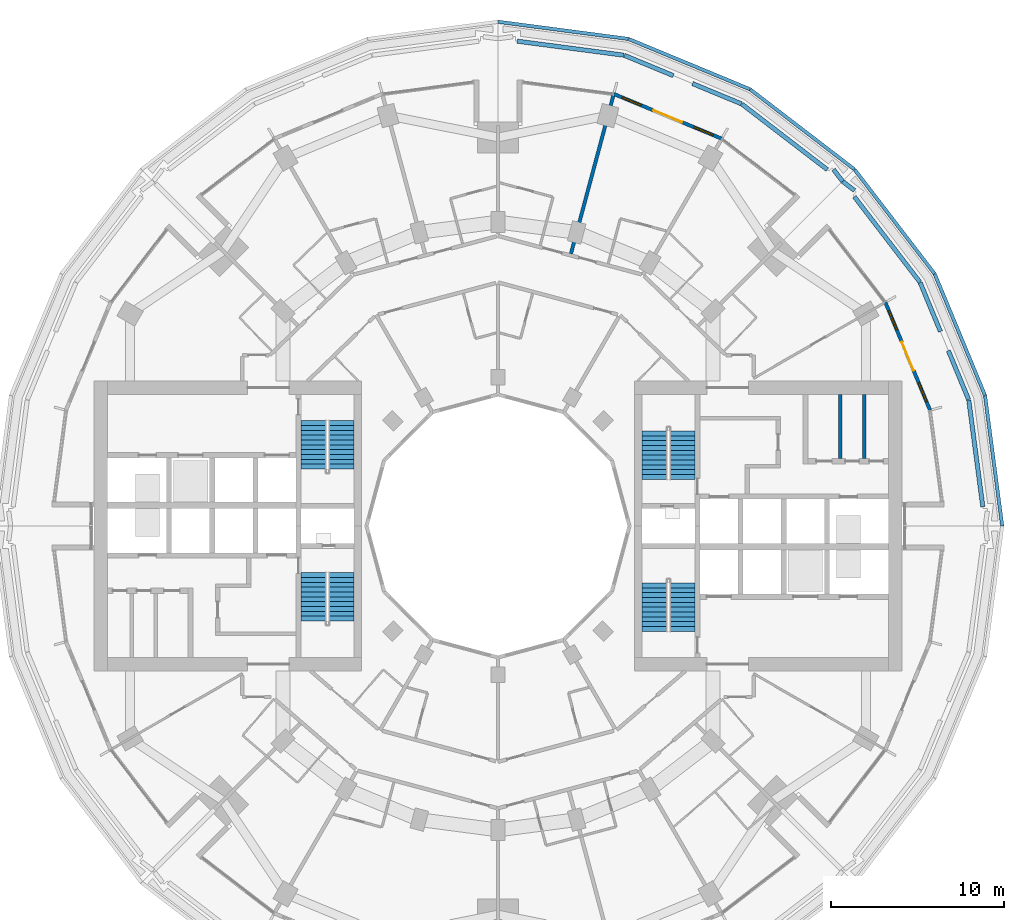
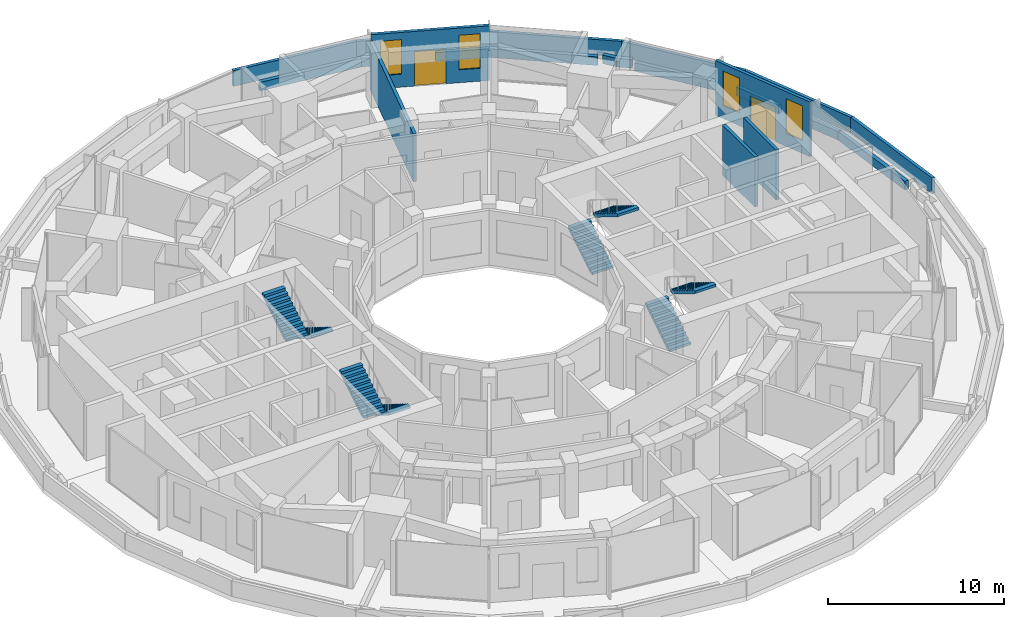
# One storey, part 17 of 19: 21 walls, 8 stair flights, 4 windows, 2 doors, 6 openings, 4 elements without a shape of their own.
"""IFC4 building model written with IfcOpenShell, lengths in metres."""

from ifc_helpers import new_model, si_unit, direction, frame, frame_2d, origin, place, context, subcontext, project, spatial, polyline, rectangle, outline, extrude, material, layer, layer_set, type_object, element, fill, aggregate, save


model = new_model("IFC4")

# Units and contexts
model_context = context("Model", 3, precision=1e-05, world=origin(), true_north=direction((0.0, 1.0)))
body_context = subcontext(model_context, "Body", "Model", "MODEL_VIEW")
ifc_project = project(units=[si_unit("LENGTHUNIT", "METRE"), si_unit("AREAUNIT", "SQUARE_METRE"), si_unit("VOLUMEUNIT", "CUBIC_METRE"), si_unit("PLANEANGLEUNIT", "RADIAN"), si_unit("MASSUNIT", "GRAM", prefix="KILO")], contexts=[model_context])

# Site, building, storey
site_placement = place(None, origin())
site = spatial("IfcSite", under=ifc_project, at=site_placement, CompositionType="ELEMENT")
building_placement = place(site_placement, origin())
building = spatial("IfcBuilding", under=site, at=building_placement, Name="Torre Brocal", CompositionType="ELEMENT")
storey_placement = place(building_placement, frame((0.0, 0.0, 28.800048828125)))
storey = spatial("IfcBuildingStorey", under=building, at=storey_placement, Name="L05", CompositionType="ELEMENT", Elevation=28.800048828125)

# Walls
ifc_material_1 = material(Name="Masonry block", Category="masonry")
ifc_layer_1 = layer(ifc_material_1, 0.199951171875)
ifc_layer_set_1 = layer_set([ifc_layer_1], Name="Masonry block")
wall_type_1 = type_object("IfcWallType", Name="CORE PARTITION 200", PredefinedType="PARTITIONING", material=ifc_layer_set_1)
for number, where, z_axis, x_axis, name in (
    (1, (99.81005859375, 78.89990234375, 0.0), (0.0, 0.0, 1.0), (0.0, 1.0, 0.0), "Wall CP200"),
    (2, (101.205078125, 78.89990234375, 0.0), (0.0, 0.0, 1.0), (0.0, 1.0, 0.0), "Wall CP200"),
):
    element("IfcWall", number, at=place(storey_placement, frame(where, z_axis=z_axis, x_axis=x_axis)), inside=storey, type_object=wall_type_1, Name=name, PredefinedType="PARTITIONING", context=body_context, shape_type="SweptSolid", body=[
        extrude(rectangle(XDim=3.7001953125, YDim=0.199951171875, at=frame_2d((1.85009765625, 0.0))), origin(), (0.0, 0.0, 1.0), 3.47998046875),
    ])

# Wall, openings, door, windows
ifc_material_2 = material(Name="Concrete C40", Category="concrete")
ifc_layer_2 = layer(ifc_material_2, 0.199951171875)
ifc_layer_set_2 = layer_set([ifc_layer_2], Name="Concrete C40")
wall_type_2 = type_object("IfcWallType", Name="EXTERNAL WALL 200", PredefinedType="NOTDEFINED", material=ifc_layer_set_2)
wall_1_placement = place(storey_placement, frame((105.0166015625, 81.703125, 0.0), z_axis=(0.0, 0.0, 1.0), x_axis=(-0.382694096902, 0.923875115043, 0.0)))
wall_1 = element("IfcWall", 3, at=wall_1_placement, inside=storey, type_object=wall_type_2, Name="EXTERNAL WALL", PredefinedType="NOTDEFINED", context=body_context, shape_type="SweptSolid", body=[
    extrude(rectangle(XDim=6.760986328125, YDim=0.199951171875, at=frame_2d((3.38037109375, 0.0))), origin(), (0.0, 0.0, 1.0), 3.800048828125),
])
opening_1_placement = place(wall_1_placement, frame((0.52685546875, 0.0, 0.89990234375)))
opening_1 = element("IfcOpeningElement", 4, at=opening_1_placement, cuts=wall_1, Name="Opening W3", PredefinedType="OPENING", context=body_context, shape_type="SweptSolid", body=[
    extrude(rectangle(XDim=1.199951171875, YDim=2.39990234375, at=frame_2d((0.60009765625, 1.199951171875))), frame((0.0, 0.10986328125, 0.0), z_axis=(0.0, -1.0, 0.0), x_axis=(1.0, 0.0, 0.0)), (0.0, 0.0, 1.0), 0.219970703125),
])
opening_2_placement = place(wall_1_placement, frame((2.48046875, 0.0, 0.0)))
opening_2 = element("IfcOpeningElement", 5, at=opening_2_placement, cuts=wall_1, Name="Opening L05-E01", PredefinedType="OPENING", context=body_context, shape_type="SweptSolid", body=[
    extrude(rectangle(XDim=1.800048828125, YDim=2.39990234375, at=frame_2d((0.89990234375, 1.199951171875))), frame((0.0, 0.10986328125, 0.0), z_axis=(0.0, -1.0, 0.0), x_axis=(1.0, 0.0, 0.0)), (0.0, 0.0, 1.0), 0.219970703125),
])
opening_3_placement = place(wall_1_placement, frame((5.0341796875, 0.0, 0.89990234375)))
opening_3 = element("IfcOpeningElement", 6, at=opening_3_placement, cuts=wall_1, Name="Opening W3", PredefinedType="OPENING", context=body_context, shape_type="SweptSolid", body=[
    extrude(rectangle(XDim=1.199951171875, YDim=2.39990234375, at=frame_2d((0.60009765625, 1.199951171875))), frame((0.0, 0.10986328125, 0.0), z_axis=(0.0, -1.0, 0.0), x_axis=(1.0, 0.0, 0.0)), (0.0, 0.0, 1.0), 0.219970703125),
])
ifc_material_3 = material(Name="Aluminium and glass", Category="aluminium")
door_type = type_object("IfcDoorType", Name="TERRACE DOUBLE DOOR 1800X2400", OperationType="DOUBLE_DOOR_SINGLE_SWING", PredefinedType="DOOR", material=ifc_material_3)
door_1_placement = place(opening_2_placement, frame((1.800048828125, 0.0, 0.0), z_axis=(0.0, 0.0, 1.0), x_axis=(-1.0, 0.0, 0.0)))
door_1 = element("IfcDoor", 7, at=door_1_placement, inside=storey, type_object=door_type, Name="DOOR L05-E01", OperationType="DOUBLE_DOOR_SINGLE_SWING", OverallHeight=2.39990234375, OverallWidth=1.800048828125, PredefinedType="DOOR", context=body_context, shape_type="SweptSolid", body=[
    extrude(rectangle(XDim=1.800048828125, YDim=2.39990234375, at=frame_2d((0.89990234375, 1.199951171875))), frame((0.0, 0.02490234375, 0.0), z_axis=(0.0, -1.0, 0.0), x_axis=(1.0, 0.0, 0.0)), (0.0, 0.0, 1.0), 0.050048828125),
])
fill(opening_2, door_1)
ifc_material_4 = material(Name="Aluminium and glass", Category="aluminium")
window_type = type_object("IfcWindowType", Name="TERRACE WINDOW 1200X2400", PartitioningType="SINGLE_PANEL", PredefinedType="WINDOW", material=ifc_material_4)
window_1_placement = place(opening_1_placement, origin())
window_1 = element("IfcWindow", 8, at=window_1_placement, inside=storey, type_object=window_type, Name="TERRACE WINDOW 1200X2400", OverallHeight=2.39990234375, OverallWidth=1.199951171875, PartitioningType="SINGLE_PANEL", PredefinedType="WINDOW", context=body_context, shape_type="SweptSolid", body=[
    extrude(rectangle(XDim=1.199951171875, YDim=2.39990234375, at=frame_2d((0.60009765625, 1.199951171875))), frame((0.0, 0.030029296875, 0.0), z_axis=(0.0, -1.0, 0.0), x_axis=(1.0, 0.0, 0.0)), (0.0, 0.0, 1.0), 0.06005859375),
])
fill(opening_1, window_1)
window_2_placement = place(opening_3_placement, origin())
window_2 = element("IfcWindow", 9, at=window_2_placement, inside=storey, type_object=window_type, Name="TERRACE WINDOW 1200X2400", OverallHeight=2.39990234375, OverallWidth=1.199951171875, PartitioningType="SINGLE_PANEL", PredefinedType="WINDOW", context=body_context, shape_type="SweptSolid", body=[
    extrude(rectangle(XDim=1.199951171875, YDim=2.39990234375, at=frame_2d((0.60009765625, 1.199951171875))), frame((0.0, 0.030029296875, 0.0), z_axis=(0.0, -1.0, 0.0), x_axis=(1.0, 0.0, 0.0)), (0.0, 0.0, 1.0), 0.06005859375),
])
fill(opening_3, window_2)

wall_2_placement = place(storey_placement, frame((92.949462890625, 97.42919921875, 0.0), z_axis=(0.0, 0.0, 1.0), x_axis=(-0.923875115043, 0.382694096902, 0.0)))
wall_2 = element("IfcWall", 10, at=wall_2_placement, inside=storey, type_object=wall_type_2, Name="EXTERNAL WALL", PredefinedType="NOTDEFINED", context=body_context, shape_type="SweptSolid", body=[
    extrude(rectangle(XDim=6.760986328125, YDim=0.199951171875, at=frame_2d((3.38037109375, 0.0))), origin(), (0.0, 0.0, 1.0), 3.800048828125),
])
opening_4_placement = place(wall_2_placement, frame((0.52685546875, 0.0, 0.89990234375)))
opening_4 = element("IfcOpeningElement", 11, at=opening_4_placement, cuts=wall_2, Name="Opening W3", PredefinedType="OPENING", context=body_context, shape_type="SweptSolid", body=[
    extrude(rectangle(XDim=1.199951171875, YDim=2.39990234375, at=frame_2d((0.60009765625, 1.199951171875))), frame((0.0, 0.10986328125, 0.0), z_axis=(0.0, -1.0, 0.0), x_axis=(1.0, 0.0, 0.0)), (0.0, 0.0, 1.0), 0.219970703125),
])
opening_5_placement = place(wall_2_placement, frame((2.48046875, 0.0, 0.0)))
opening_5 = element("IfcOpeningElement", 12, at=opening_5_placement, cuts=wall_2, Name="Opening L05-E02", PredefinedType="OPENING", context=body_context, shape_type="SweptSolid", body=[
    extrude(rectangle(XDim=1.800048828125, YDim=2.39990234375, at=frame_2d((0.89990234375, 1.199951171875))), frame((0.0, 0.10986328125, 0.0), z_axis=(0.0, -1.0, 0.0), x_axis=(1.0, 0.0, 0.0)), (0.0, 0.0, 1.0), 0.219970703125),
])
opening_6_placement = place(wall_2_placement, frame((5.0341796875, 0.0, 0.89990234375)))
opening_6 = element("IfcOpeningElement", 13, at=opening_6_placement, cuts=wall_2, Name="Opening W3", PredefinedType="OPENING", context=body_context, shape_type="SweptSolid", body=[
    extrude(rectangle(XDim=1.199951171875, YDim=2.39990234375, at=frame_2d((0.60009765625, 1.199951171875))), frame((0.0, 0.10986328125, 0.0), z_axis=(0.0, -1.0, 0.0), x_axis=(1.0, 0.0, 0.0)), (0.0, 0.0, 1.0), 0.219970703125),
])
door_2_placement = place(opening_5_placement, frame((1.800048828125, 0.0, 0.0), z_axis=(0.0, 0.0, 1.0), x_axis=(-1.0, 0.0, 0.0)))
door_2 = element("IfcDoor", 14, at=door_2_placement, inside=storey, type_object=door_type, Name="DOOR L05-E02", OperationType="DOUBLE_DOOR_SINGLE_SWING", OverallHeight=2.39990234375, OverallWidth=1.800048828125, PredefinedType="DOOR", context=body_context, shape_type="SweptSolid", body=[
    extrude(rectangle(XDim=1.800048828125, YDim=2.39990234375, at=frame_2d((0.89990234375, 1.199951171875))), frame((0.0, 0.02490234375, 0.0), z_axis=(0.0, -1.0, 0.0), x_axis=(1.0, 0.0, 0.0)), (0.0, 0.0, 1.0), 0.050048828125),
])
fill(opening_5, door_2)
window_3_placement = place(opening_4_placement, origin())
window_3 = element("IfcWindow", 15, at=window_3_placement, inside=storey, type_object=window_type, Name="TERRACE WINDOW 1200X2400", OverallHeight=2.39990234375, OverallWidth=1.199951171875, PartitioningType="SINGLE_PANEL", PredefinedType="WINDOW", context=body_context, shape_type="SweptSolid", body=[
    extrude(rectangle(XDim=1.199951171875, YDim=2.39990234375, at=frame_2d((0.60009765625, 1.199951171875))), frame((0.0, 0.030029296875, 0.0), z_axis=(0.0, -1.0, 0.0), x_axis=(1.0, 0.0, 0.0)), (0.0, 0.0, 1.0), 0.06005859375),
])
fill(opening_4, window_3)
window_4_placement = place(opening_6_placement, origin())
window_4 = element("IfcWindow", 16, at=window_4_placement, inside=storey, type_object=window_type, Name="TERRACE WINDOW 1200X2400", OverallHeight=2.39990234375, OverallWidth=1.199951171875, PartitioningType="SINGLE_PANEL", PredefinedType="WINDOW", context=body_context, shape_type="SweptSolid", body=[
    extrude(rectangle(XDim=1.199951171875, YDim=2.39990234375, at=frame_2d((0.60009765625, 1.199951171875))), frame((0.0, 0.030029296875, 0.0), z_axis=(0.0, -1.0, 0.0), x_axis=(1.0, 0.0, 0.0)), (0.0, 0.0, 1.0), 0.06005859375),
])
fill(opening_6, window_4)

# Walls
ifc_material_5 = material(Name="Concrete C40", Category="concrete")
ifc_layer_3 = layer(ifc_material_5, 0.199951171875)
ifc_layer_set_3 = layer_set([ifc_layer_3], Name="Concrete C40")
wall_type_3 = type_object("IfcWallType", Name="PARAPET WALL 200 THICK 1100 HIGH 6", PredefinedType="PARAPET", material=ifc_layer_set_3)
wall_3_placement = place(storey_placement, frame((80.012939453125, 104.19580078125, 0.0), z_axis=(0.0, 0.0, 1.0), x_axis=(0.991444665631, -0.130527679023, 0.0)))
element("IfcWall", 17, at=wall_3_placement, inside=storey, type_object=wall_type_3, Name="PARAPET WALL 19", PredefinedType="PARAPET", context=body_context, shape_type="SweptSolid", body=[
    extrude(rectangle(XDim=7.595703125, YDim=0.199951171875, at=frame_2d((3.7978515625, 0.0))), origin(), (0.0, 0.0, 1.0), 1.099853515625),
])
wall_4_placement = place(storey_placement, frame((87.569091796875, 103.197509765625, 0.0), z_axis=(0.0, 0.0, 1.0), x_axis=(0.923876582616, -0.382690553965, 0.0)))
element("IfcWall", 18, at=wall_4_placement, inside=storey, type_object=wall_type_3, Name="PARAPET WALL 20", PredefinedType="PARAPET", context=body_context, shape_type="SweptSolid", body=[
    extrude(rectangle(XDim=7.595458984375, YDim=0.199951171875, at=frame_2d((3.7978515625, 0.0))), origin(), (0.0, 0.0, 1.0), 1.099853515625),
])
for number, where, z_axis, x_axis, name in (
    (19, (94.609130859375, 100.277587890625, 0.0), (0.0, 0.0, 1.0), (0.793367808682, -0.608742572971, 0.0), "PARAPET WALL 21"),
    (20, (100.65380859375, 95.63525390625, 0.0), (0.0, 0.0, 1.0), (0.608742572971, -0.793367808682, 0.0), "PARAPET WALL 22"),
):
    element("IfcWall", number, at=place(storey_placement, frame(where, z_axis=z_axis, x_axis=x_axis)), inside=storey, type_object=wall_type_3, Name=name, PredefinedType="PARAPET", context=body_context, shape_type="SweptSolid", body=[
        extrude(rectangle(XDim=7.595703125, YDim=0.199951171875, at=frame_2d((3.7978515625, 0.0))), origin(), (0.0, 0.0, 1.0), 1.099853515625),
    ])
wall_5_placement = place(storey_placement, frame((105.290771484375, 89.58642578125, 0.0), z_axis=(0.0, 0.0, 1.0), x_axis=(0.382690553965, -0.923876582616, 0.0)))
element("IfcWall", 21, at=wall_5_placement, inside=storey, type_object=wall_type_3, Name="PARAPET WALL 23", PredefinedType="PARAPET", context=body_context, shape_type="SweptSolid", body=[
    extrude(rectangle(XDim=7.595458984375, YDim=0.199951171875, at=frame_2d((3.7978515625, 0.0))), origin(), (0.0, 0.0, 1.0), 1.099853515625),
])
wall_6_placement = place(storey_placement, frame((108.204345703125, 82.543701171875, 0.0), z_axis=(0.0, 0.0, 1.0), x_axis=(0.130528383523, -0.991444572881, 0.0)))
element("IfcWall", 22, at=wall_6_placement, inside=storey, type_object=wall_type_3, Name="PARAPET WALL 24", PredefinedType="PARAPET", context=body_context, shape_type="SweptSolid", body=[
    extrude(rectangle(XDim=7.60888671875, YDim=0.199951171875, at=frame_2d((3.804443359375, 0.0))), origin(), (0.0, 0.0, 1.0), 1.099853515625),
])
ifc_material_6 = material(Name="Gypsum board", Category="Gypsum")
ifc_layer_4 = layer(ifc_material_6, 0.199951171875)
ifc_layer_set_4 = layer_set([ifc_layer_4], Name="Gypsum board")
wall_type_4 = type_object("IfcWallType", Name="PARTITION 200 EI60", PredefinedType="PARTITIONING", material=ifc_layer_set_4)
wall_7_placement = place(storey_placement, frame((84.224853515625, 90.767578125, 0.0), z_axis=(0.0, 0.0, 1.0), x_axis=(0.258817230439, 0.965926312525, 0.0)))
element("IfcWall", 23, at=wall_7_placement, inside=storey, type_object=wall_type_4, Name="PARTY PARTITION", PredefinedType="PARTITIONING", context=body_context, shape_type="SweptSolid", body=[
    extrude(rectangle(XDim=9.474365234375, YDim=0.199951171875, at=frame_2d((4.7373046875, 0.0))), origin(), (0.0, 0.0, 1.0), 3.349853515625),
])
ifc_material_7 = material(Name="Concrete C35", Category="concrete")
ifc_layer_5 = layer(ifc_material_7, 0.25)
ifc_layer_set_5 = layer_set([ifc_layer_5], Name="Concrete C35")
wall_type_5 = type_object("IfcWallType", Name="PLANTER WALL 250 THICK 600 HIGH 6", PredefinedType="USERDEFINED", material=ifc_layer_set_5)
wall_8_placement = place(storey_placement, frame((99.953857421875, 94.953857421875, 0.0), z_axis=(0.0, 0.0, 1.0), x_axis=(0.793252329562, -0.608893046146, 0.0)))
element("IfcWall", 24, at=wall_8_placement, inside=storey, type_object=wall_type_5, Name="PLANTER", ObjectType="PLANTER", PredefinedType="USERDEFINED", context=body_context, shape_type="SweptSolid", body=[
    extrude(rectangle(XDim=0.865966796875, YDim=0.25, at=frame_2d((0.43310546875, 0.0))), origin(), (0.0, 0.0, 1.0), 0.599853515625),
])
wall_9_placement = place(storey_placement, frame((100.634521484375, 94.066650390625, 0.0), z_axis=(0.0, 0.0, 1.0), x_axis=(0.608758005668, -0.793355967101, 0.0)))
element("IfcWall", 25, at=wall_9_placement, inside=storey, type_object=wall_type_5, Name="PLANTER", ObjectType="PLANTER", PredefinedType="USERDEFINED", context=body_context, shape_type="SweptSolid", body=[
    extrude(rectangle(XDim=6.23193359375, YDim=0.25, at=frame_2d((3.115966796875, 0.0))), origin(), (0.0, 0.0, 1.0), 0.599853515625),
])
for number, where, z_axis, x_axis, name in (
    (26, (104.444580078125, 89.09423828125, 0.0), (0.0, 0.0, 1.0), (0.38275488762, -0.923849931538, 0.0), "PLANTER"),
    (27, (106.077392578125, 85.15234375, 0.0), (0.0, 0.0, 1.0), (0.382726739509, -0.923861592916, 0.0), "PLANTER"),
):
    element("IfcWall", number, at=place(storey_placement, frame(where, z_axis=z_axis, x_axis=x_axis)), inside=storey, type_object=wall_type_5, Name=name, ObjectType="PLANTER", PredefinedType="USERDEFINED", context=body_context, shape_type="SweptSolid", body=[
        extrude(rectangle(XDim=3.06689453125, YDim=0.25, at=frame_2d((1.533447265625, 0.0))), origin(), (0.0, 0.0, 1.0), 0.599853515625),
    ])
for number, where, z_axis, x_axis, name in (
    (28, (107.259521484375, 82.287353515625, 0.0), (0.0, 0.0, 1.0), (0.130531529041, -0.991444158753, 0.0), "PLANTER"),
    (29, (81.108642578125, 103.072998046875, 0.0), (0.0, 0.0, 1.0), (0.991444158753, -0.130531529041, 0.0), "PLANTER"),
):
    element("IfcWall", number, at=place(storey_placement, frame(where, z_axis=z_axis, x_axis=x_axis)), inside=storey, type_object=wall_type_5, Name=name, ObjectType="PLANTER", PredefinedType="USERDEFINED", context=body_context, shape_type="SweptSolid", body=[
        extrude(rectangle(XDim=6.23193359375, YDim=0.25, at=frame_2d((3.115966796875, 0.0))), origin(), (0.0, 0.0, 1.0), 0.599853515625),
    ])
for number, where, z_axis, x_axis, name in (
    (30, (87.31884765625, 102.251220703125, 0.0), (0.0, 0.0, 1.0), (0.923861592916, -0.382726739509, 0.0), "PLANTER"),
    (31, (91.260986328125, 100.618408203125, 0.0), (0.0, 0.0, 1.0), (0.923849931538, -0.38275488762, 0.0), "PLANTER"),
):
    element("IfcWall", number, at=place(storey_placement, frame(where, z_axis=z_axis, x_axis=x_axis)), inside=storey, type_object=wall_type_5, Name=name, ObjectType="PLANTER", PredefinedType="USERDEFINED", context=body_context, shape_type="SweptSolid", body=[
        extrude(rectangle(XDim=3.06689453125, YDim=0.25, at=frame_2d((1.533447265625, 0.0))), origin(), (0.0, 0.0, 1.0), 0.599853515625),
    ])
wall_10_placement = place(storey_placement, frame((94.12255859375, 99.42822265625, 0.0), z_axis=(0.0, 0.0, 1.0), x_axis=(0.793355967101, -0.608758005668, 0.0)))
element("IfcWall", 32, at=wall_10_placement, inside=storey, type_object=wall_type_5, Name="PLANTER", ObjectType="PLANTER", PredefinedType="USERDEFINED", context=body_context, shape_type="SweptSolid", body=[
    extrude(rectangle(XDim=6.23193359375, YDim=0.25, at=frame_2d((3.115966796875, 0.0))), origin(), (0.0, 0.0, 1.0), 0.599853515625),
])
wall_11_placement = place(storey_placement, frame((99.426513671875, 95.640869140625, 0.0), z_axis=(0.0, 0.0, 1.0), x_axis=(0.608893046146, -0.793252329562, 0.0)))
element("IfcWall", 33, at=wall_11_placement, inside=storey, type_object=wall_type_5, Name="PLANTER", ObjectType="PLANTER", PredefinedType="USERDEFINED", context=body_context, shape_type="SweptSolid", body=[
    extrude(rectangle(XDim=0.865966796875, YDim=0.25, at=frame_2d((0.43310546875, 0.0))), origin(), (0.0, 0.0, 1.0), 0.599853515625),
])

# Stair, stair flights
ifc_material_8 = material(Name="Concrete C50", Category="concrete")
stair_type = type_object("IfcStairType", Name="EXIT STAIR", PredefinedType="HALF_TURN_STAIR", material=ifc_material_8)
stair_1_placement = place(storey_placement, origin())
stair_1 = element("IfcStair", 34, at=stair_1_placement, inside=storey, type_object=stair_type, Name="EXIT STAIR ST1", PredefinedType="HALF_TURN_STAIR")
ifc_material_9 = material(Name="Concrete C50", Category="concrete")
ifc_layer_6 = layer(ifc_material_9, 0.14990234375)
ifc_layer_set_6 = layer_set([ifc_layer_6], Name="Concrete C50")
stair_flight_type = type_object("IfcStairFlightType", Name="STAIR FLIGHT", PredefinedType="STRAIGHT", material=ifc_layer_set_6)
stair_flight_1_placement = place(storey_placement, frame((89.050048828125, 77.699951171875, 0.0), z_axis=(0.0, 0.0, 1.0), x_axis=(0.0, 1.0, 0.0)))
stair_flight_1 = element("IfcStairFlight", 35, at=stair_flight_1_placement, type_object=stair_flight_type, Name="ST1 flight 1", NumberOfRisers=11, NumberOfTreads=10, PredefinedType="STRAIGHT", RiserHeight=0.172727273, TreadLength=0.28, context=body_context, shape_type="SweptSolid", body=[
    extrude(outline(polyline([(0.0, 0.0), (0.0, 0.172607421875), (0.280029296875, 0.172607421875), (0.280029296875, 0.345458984375), (0.56005859375, 0.345458984375), (0.56005859375, 0.51806640625), (0.840087890625, 0.51806640625), (0.840087890625, 0.69091796875), (1.1201171875, 0.69091796875), (1.1201171875, 0.863525390625), (1.39990234375, 0.863525390625), (1.39990234375, 1.036376953125), (1.679931640625, 1.036376953125), (1.679931640625, 1.208984375), (1.9599609375, 1.208984375), (1.9599609375, 1.3818359375), (2.239990234375, 1.3818359375), (2.239990234375, 1.554443359375), (2.52001953125, 1.554443359375), (2.52001953125, 1.727294921875), (2.800048828125, 1.727294921875), (2.800048828125, 1.89990234375), (2.800048828125, 1.551025390625), (0.285400390625, 0.0), (0.0, 0.0)])), frame((0.0, 0.699951171875, 0.0), z_axis=(0.0, -1.0, 0.0), x_axis=(1.0, 0.0, 0.0)), (0.0, 0.0, 1.0), 1.39990234375),
])
stair_flight_2_placement = place(storey_placement, frame((90.699951171875, 80.5, 1.89990234375), z_axis=(0.0, 0.0, 1.0), x_axis=(0.0, -1.0, 0.0)))
stair_flight_2 = element("IfcStairFlight", 36, at=stair_flight_2_placement, type_object=stair_flight_type, Name="ST1 flight 2", NumberOfRisers=11, NumberOfTreads=10, PredefinedType="STRAIGHT", RiserHeight=0.172727273, TreadLength=0.28, context=body_context, shape_type="SweptSolid", body=[
    extrude(outline(polyline([(0.0, 0.0), (0.0, 0.172607421875), (0.280029296875, 0.172607421875), (0.280029296875, 0.345458984375), (0.56005859375, 0.345458984375), (0.56005859375, 0.51806640625), (0.840087890625, 0.51806640625), (0.840087890625, 0.69091796875), (1.1201171875, 0.69091796875), (1.1201171875, 0.863525390625), (1.39990234375, 0.863525390625), (1.39990234375, 1.036376953125), (1.679931640625, 1.036376953125), (1.679931640625, 1.208984375), (1.9599609375, 1.208984375), (1.9599609375, 1.3818359375), (2.239990234375, 1.3818359375), (2.239990234375, 1.554443359375), (2.52001953125, 1.554443359375), (2.52001953125, 1.727294921875), (2.800048828125, 1.727294921875), (2.800048828125, 1.89990234375), (2.800048828125, 1.551025390625), (0.285400390625, 0.0), (0.0, 0.0)])), frame((0.0, 0.699951171875, 0.0), z_axis=(0.0, -1.0, 0.0), x_axis=(1.0, 0.0, 0.0)), (0.0, 0.0, 1.0), 1.39990234375),
])
aggregate(stair_1, [stair_flight_1, stair_flight_2])

stair_2_placement = place(storey_placement, origin())
stair_2 = element("IfcStair", 37, at=stair_2_placement, inside=storey, type_object=stair_type, Name="EXIT STAIR ST2", PredefinedType="HALF_TURN_STAIR")
stair_flight_3_placement = place(storey_placement, frame((89.050048828125, 68.89990234375, 0.0), z_axis=(0.0, 0.0, 1.0), x_axis=(0.0, 1.0, 0.0)))
stair_flight_3 = element("IfcStairFlight", 38, at=stair_flight_3_placement, type_object=stair_flight_type, Name="ST2 flight 1", NumberOfRisers=11, NumberOfTreads=10, PredefinedType="STRAIGHT", RiserHeight=0.172727273, TreadLength=0.28, context=body_context, shape_type="SweptSolid", body=[
    extrude(outline(polyline([(0.0, 0.0), (0.0, 0.172607421875), (0.280029296875, 0.172607421875), (0.280029296875, 0.345458984375), (0.56005859375, 0.345458984375), (0.56005859375, 0.51806640625), (0.840087890625, 0.51806640625), (0.840087890625, 0.69091796875), (1.1201171875, 0.69091796875), (1.1201171875, 0.863525390625), (1.39990234375, 0.863525390625), (1.39990234375, 1.036376953125), (1.679931640625, 1.036376953125), (1.679931640625, 1.208984375), (1.9599609375, 1.208984375), (1.9599609375, 1.3818359375), (2.239990234375, 1.3818359375), (2.239990234375, 1.554443359375), (2.52001953125, 1.554443359375), (2.52001953125, 1.727294921875), (2.800048828125, 1.727294921875), (2.800048828125, 1.89990234375), (2.800048828125, 1.551025390625), (0.285400390625, 0.0), (0.0, 0.0)])), frame((0.0, 0.699951171875, 0.0), z_axis=(0.0, -1.0, 0.0), x_axis=(1.0, 0.0, 0.0)), (0.0, 0.0, 1.0), 1.39990234375),
])
stair_flight_4_placement = place(storey_placement, frame((90.699951171875, 71.699951171875, 1.89990234375), z_axis=(0.0, 0.0, 1.0), x_axis=(0.0, -1.0, 0.0)))
stair_flight_4 = element("IfcStairFlight", 39, at=stair_flight_4_placement, type_object=stair_flight_type, Name="ST2 flight 2", NumberOfRisers=11, NumberOfTreads=10, PredefinedType="STRAIGHT", RiserHeight=0.172727273, TreadLength=0.28, context=body_context, shape_type="SweptSolid", body=[
    extrude(outline(polyline([(0.0, 0.0), (0.0, 0.172607421875), (0.280029296875, 0.172607421875), (0.280029296875, 0.345458984375), (0.56005859375, 0.345458984375), (0.56005859375, 0.51806640625), (0.840087890625, 0.51806640625), (0.840087890625, 0.69091796875), (1.1201171875, 0.69091796875), (1.1201171875, 0.863525390625), (1.39990234375, 0.863525390625), (1.39990234375, 1.036376953125), (1.679931640625, 1.036376953125), (1.679931640625, 1.208984375), (1.9599609375, 1.208984375), (1.9599609375, 1.3818359375), (2.239990234375, 1.3818359375), (2.239990234375, 1.554443359375), (2.52001953125, 1.554443359375), (2.52001953125, 1.727294921875), (2.800048828125, 1.727294921875), (2.800048828125, 1.89990234375), (2.800048828125, 1.551025390625), (0.285400390625, 0.0), (0.0, 0.0)])), frame((0.0, 0.699951171875, 0.0), z_axis=(0.0, -1.0, 0.0), x_axis=(1.0, 0.0, 0.0)), (0.0, 0.0, 1.0), 1.39990234375),
])
aggregate(stair_2, [stair_flight_3, stair_flight_4])

stair_3_placement = place(storey_placement, origin())
stair_3 = element("IfcStair", 40, at=stair_3_placement, inside=storey, type_object=stair_type, Name="EXIT STAIR ST3", PredefinedType="HALF_TURN_STAIR")
stair_flight_5_placement = place(storey_placement, frame((70.949951171875, 72.300048828125, 0.0), z_axis=(0.0, 0.0, 1.0), x_axis=(0.0, -1.0, 0.0)))
stair_flight_5 = element("IfcStairFlight", 41, at=stair_flight_5_placement, type_object=stair_flight_type, Name="ST3 flight 1", NumberOfRisers=11, NumberOfTreads=10, PredefinedType="STRAIGHT", RiserHeight=0.172727273, TreadLength=0.28, context=body_context, shape_type="SweptSolid", body=[
    extrude(outline(polyline([(0.0, 0.0), (0.0, 0.172607421875), (0.280029296875, 0.172607421875), (0.280029296875, 0.345458984375), (0.56005859375, 0.345458984375), (0.56005859375, 0.51806640625), (0.840087890625, 0.51806640625), (0.840087890625, 0.69091796875), (1.1201171875, 0.69091796875), (1.1201171875, 0.863525390625), (1.39990234375, 0.863525390625), (1.39990234375, 1.036376953125), (1.679931640625, 1.036376953125), (1.679931640625, 1.208984375), (1.9599609375, 1.208984375), (1.9599609375, 1.3818359375), (2.239990234375, 1.3818359375), (2.239990234375, 1.554443359375), (2.52001953125, 1.554443359375), (2.52001953125, 1.727294921875), (2.800048828125, 1.727294921875), (2.800048828125, 1.89990234375), (2.800048828125, 1.551025390625), (0.285400390625, 0.0), (0.0, 0.0)])), frame((0.0, 0.699951171875, 0.0), z_axis=(0.0, -1.0, 0.0), x_axis=(1.0, 0.0, 0.0)), (0.0, 0.0, 1.0), 1.39990234375),
])
stair_flight_6_placement = place(storey_placement, frame((69.300048828125, 69.5, 1.89990234375), z_axis=(0.0, 0.0, 1.0), x_axis=(0.0, 1.0, 0.0)))
stair_flight_6 = element("IfcStairFlight", 42, at=stair_flight_6_placement, type_object=stair_flight_type, Name="ST3 flight 2", NumberOfRisers=11, NumberOfTreads=10, PredefinedType="STRAIGHT", RiserHeight=0.172727273, TreadLength=0.28, context=body_context, shape_type="SweptSolid", body=[
    extrude(outline(polyline([(0.0, 0.0), (0.0, 0.172607421875), (0.280029296875, 0.172607421875), (0.280029296875, 0.345458984375), (0.56005859375, 0.345458984375), (0.56005859375, 0.51806640625), (0.840087890625, 0.51806640625), (0.840087890625, 0.69091796875), (1.1201171875, 0.69091796875), (1.1201171875, 0.863525390625), (1.39990234375, 0.863525390625), (1.39990234375, 1.036376953125), (1.679931640625, 1.036376953125), (1.679931640625, 1.208984375), (1.9599609375, 1.208984375), (1.9599609375, 1.3818359375), (2.239990234375, 1.3818359375), (2.239990234375, 1.554443359375), (2.52001953125, 1.554443359375), (2.52001953125, 1.727294921875), (2.800048828125, 1.727294921875), (2.800048828125, 1.89990234375), (2.800048828125, 1.551025390625), (0.285400390625, 0.0), (0.0, 0.0)])), frame((0.0, 0.699951171875, 0.0), z_axis=(0.0, -1.0, 0.0), x_axis=(1.0, 0.0, 0.0)), (0.0, 0.0, 1.0), 1.39990234375),
])
aggregate(stair_3, [stair_flight_5, stair_flight_6])

stair_4_placement = place(storey_placement, origin())
stair_4 = element("IfcStair", 43, at=stair_4_placement, inside=storey, type_object=stair_type, Name="EXIT STAIR ST4", PredefinedType="HALF_TURN_STAIR")
stair_flight_7_placement = place(storey_placement, frame((70.949951171875, 81.10009765625, 0.0), z_axis=(0.0, 0.0, 1.0), x_axis=(0.0, -1.0, 0.0)))
stair_flight_7 = element("IfcStairFlight", 44, at=stair_flight_7_placement, type_object=stair_flight_type, Name="ST4 flight 1", NumberOfRisers=11, NumberOfTreads=10, PredefinedType="STRAIGHT", RiserHeight=0.172727273, TreadLength=0.28, context=body_context, shape_type="SweptSolid", body=[
    extrude(outline(polyline([(0.0, 0.0), (0.0, 0.172607421875), (0.280029296875, 0.172607421875), (0.280029296875, 0.345458984375), (0.56005859375, 0.345458984375), (0.56005859375, 0.51806640625), (0.840087890625, 0.51806640625), (0.840087890625, 0.69091796875), (1.1201171875, 0.69091796875), (1.1201171875, 0.863525390625), (1.39990234375, 0.863525390625), (1.39990234375, 1.036376953125), (1.679931640625, 1.036376953125), (1.679931640625, 1.208984375), (1.9599609375, 1.208984375), (1.9599609375, 1.3818359375), (2.239990234375, 1.3818359375), (2.239990234375, 1.554443359375), (2.52001953125, 1.554443359375), (2.52001953125, 1.727294921875), (2.800048828125, 1.727294921875), (2.800048828125, 1.89990234375), (2.800048828125, 1.551025390625), (0.285400390625, 0.0), (0.0, 0.0)])), frame((0.0, 0.699951171875, 0.0), z_axis=(0.0, -1.0, 0.0), x_axis=(1.0, 0.0, 0.0)), (0.0, 0.0, 1.0), 1.39990234375),
])
stair_flight_8_placement = place(storey_placement, frame((69.300048828125, 78.300048828125, 1.89990234375), z_axis=(0.0, 0.0, 1.0), x_axis=(0.0, 1.0, 0.0)))
stair_flight_8 = element("IfcStairFlight", 45, at=stair_flight_8_placement, type_object=stair_flight_type, Name="ST4 flight 2", NumberOfRisers=11, NumberOfTreads=10, PredefinedType="STRAIGHT", RiserHeight=0.172727273, TreadLength=0.28, context=body_context, shape_type="SweptSolid", body=[
    extrude(outline(polyline([(0.0, 0.0), (0.0, 0.172607421875), (0.280029296875, 0.172607421875), (0.280029296875, 0.345458984375), (0.56005859375, 0.345458984375), (0.56005859375, 0.51806640625), (0.840087890625, 0.51806640625), (0.840087890625, 0.69091796875), (1.1201171875, 0.69091796875), (1.1201171875, 0.863525390625), (1.39990234375, 0.863525390625), (1.39990234375, 1.036376953125), (1.679931640625, 1.036376953125), (1.679931640625, 1.208984375), (1.9599609375, 1.208984375), (1.9599609375, 1.3818359375), (2.239990234375, 1.3818359375), (2.239990234375, 1.554443359375), (2.52001953125, 1.554443359375), (2.52001953125, 1.727294921875), (2.800048828125, 1.727294921875), (2.800048828125, 1.89990234375), (2.800048828125, 1.551025390625), (0.285400390625, 0.0), (0.0, 0.0)])), frame((0.0, 0.699951171875, 0.0), z_axis=(0.0, -1.0, 0.0), x_axis=(1.0, 0.0, 0.0)), (0.0, 0.0, 1.0), 1.39990234375),
])
aggregate(stair_4, [stair_flight_7, stair_flight_8])

save(model, "model.ifc")
